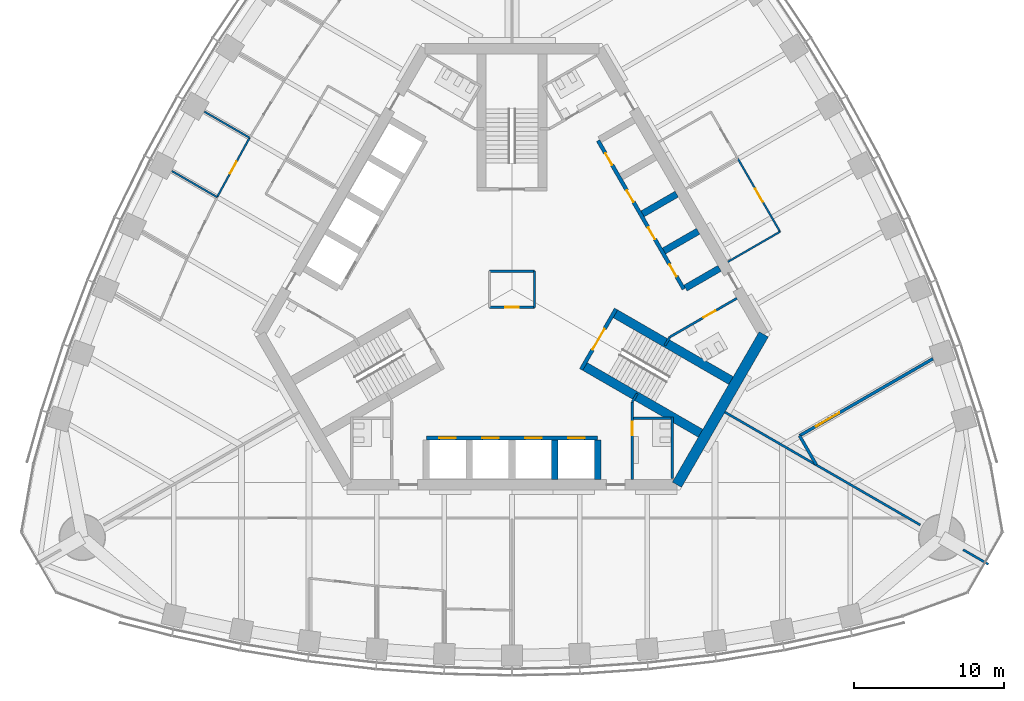
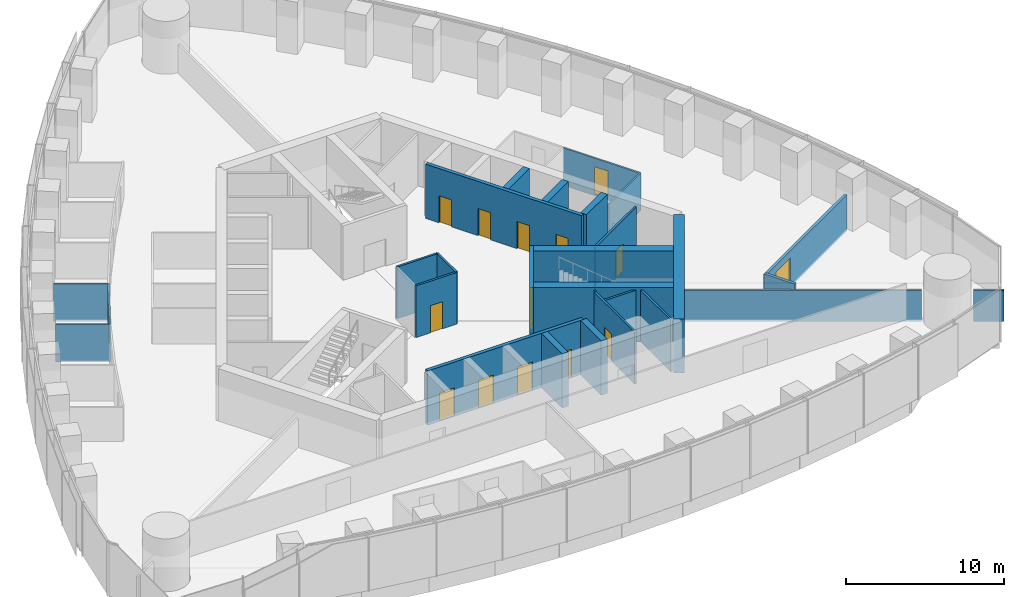
# One storey, part 12 of 19: 29 walls, 15 doors, 15 openings.
"""IFC4 building model written with IfcOpenShell, lengths in metres."""

from ifc_helpers import new_model, si_unit, direction, frame, frame_2d, origin, place, context, subcontext, project, spatial, rectangle, extrude, material, layer, layer_set, type_object, element, fill, save


model = new_model("IFC4")

# Units and contexts
model_context = context("Model", 3, precision=1e-05, world=origin(), true_north=direction((0.0, 1.0)))
body_context = subcontext(model_context, "Body", "Model", "MODEL_VIEW")
ifc_project = project(units=[si_unit("LENGTHUNIT", "METRE"), si_unit("AREAUNIT", "SQUARE_METRE"), si_unit("VOLUMEUNIT", "CUBIC_METRE"), si_unit("PLANEANGLEUNIT", "RADIAN"), si_unit("MASSUNIT", "GRAM", prefix="KILO")], contexts=[model_context])

# Site, building, storey
site_placement = place(None, origin())
site = spatial("IfcSite", under=ifc_project, at=site_placement, CompositionType="ELEMENT")
building_placement = place(site_placement, origin())
building = spatial("IfcBuilding", under=site, at=building_placement, Name="Trefoil Bronze Tower", CompositionType="ELEMENT")
storey_placement = place(building_placement, frame((0.0, 0.0, 244.300048828125)))
storey = spatial("IfcBuildingStorey", under=building, at=storey_placement, Name="L56", CompositionType="ELEMENT", Elevation=244.300048828125)

# Wall
ifc_material_1 = material(Name="Gypsum board on steel studs", Category="steel")
ifc_layer_1 = layer(ifc_material_1, 0.199951171875)
ifc_layer_set_1 = layer_set([ifc_layer_1], Name="Acoustic partition 200")
wall_type_1 = type_object("IfcWallType", Name="Acoustic partition 200", PredefinedType="PARTITIONING", material=ifc_layer_set_1)
wall_1_placement = place(storey_placement, frame((19.123779296875, -9.743408203125, 0.0), z_axis=(0.0, 0.0, 1.0), x_axis=(0.500047783504, -0.865997814208, 0.0)))
element("IfcWall", 1, at=wall_1_placement, inside=storey, type_object=wall_type_1, Name="Partition F2 L56", PredefinedType="PARTITIONING", context=body_context, shape_type="SweptSolid", body=[
    extrude(rectangle(XDim=2.230224609375, YDim=0.199951171875, at=frame_2d((1.115234375, 0.0))), origin(), (0.0, 0.0, 1.0), 2.89990234375),
])

# Wall, opening, door
wall_2_placement = place(storey_placement, frame((19.123779296875, -9.743408203125, 0.0), z_axis=(0.0, 0.0, 1.0), x_axis=(0.866033076574, 0.499986710104, 0.0)))
wall_2 = element("IfcWall", 2, at=wall_2_placement, inside=storey, type_object=wall_type_1, Name="Partition F2 L56", PredefinedType="PARTITIONING", context=body_context, shape_type="SweptSolid", body=[
    extrude(rectangle(XDim=10.236572265625, YDim=0.199951171875, at=frame_2d((5.1181640625, 0.0))), origin(), (0.0, 0.0, 1.0), 2.800048828125),
])
opening_1_placement = place(wall_2_placement, frame((1.25, 0.0, 0.14990234375)))
opening_1 = element("IfcOpeningElement", 3, at=opening_1_placement, cuts=wall_2, Name="Opening D10", PredefinedType="OPENING", context=body_context, shape_type="SweptSolid", body=[
    extrude(rectangle(XDim=1.800048828125, YDim=2.10009765625, at=frame_2d((0.89990234375, 1.050048828125))), frame((0.0, 0.10986328125, 0.0), z_axis=(0.0, -1.0, 0.0), x_axis=(1.0, 0.0, 0.0)), (0.0, 0.0, 1.0), 0.219970703125),
])
ifc_material_2 = material(Name="Timber door", Category="wood")
door_type_1 = type_object("IfcDoorType", Name="Double door 1800", OperationType="DOUBLE_DOOR_SINGLE_SWING", PredefinedType="DOOR", material=ifc_material_2)
door_1_placement = place(opening_1_placement, frame((1.800048828125, 0.0, 0.0), z_axis=(0.0, 0.0, 1.0), x_axis=(-1.0, 0.0, 0.0)))
door_1 = element("IfcDoor", 4, at=door_1_placement, inside=storey, type_object=door_type_1, Name="Boardroom door F2 L56", OperationType="DOUBLE_DOOR_SINGLE_SWING", OverallHeight=2.10009765625, OverallWidth=1.800048828125, PredefinedType="DOOR", context=body_context, shape_type="SweptSolid", body=[
    extrude(rectangle(XDim=1.800048828125, YDim=2.10009765625, at=frame_2d((0.89990234375, 1.050048828125))), frame((0.0, 0.02490234375, 0.0), z_axis=(0.0, -1.0, 0.0), x_axis=(1.0, 0.0, 0.0)), (0.0, 0.0, 1.0), 0.050048828125),
])
fill(opening_1, door_1)

# Wall
ifc_material_3 = material(Name="Concrete B80", Category="concrete")
ifc_layer_2 = layer(ifc_material_3, 0.699951171875)
ifc_layer_set_2 = layer_set([ifc_layer_2], Name="Core wall 700")
wall_type_2 = type_object("IfcWallType", Name="Core wall 700", PredefinedType="SHEAR", material=ifc_layer_set_2)
wall_3_placement = place(storey_placement, frame((10.9697265625, -13.0, 0.0), z_axis=(0.0, 0.0, 1.0), x_axis=(0.499995765644, 0.866027848477, 0.0)))
element("IfcWall", 5, at=wall_3_placement, inside=storey, type_object=wall_type_2, Name="Core short wall 1 L56", PredefinedType="SHEAR", context=body_context, shape_type="SweptSolid", body=[
    extrude(rectangle(XDim=11.546875, YDim=0.699951171875, at=frame_2d((5.7734375, 0.0))), origin(), (0.0, 0.0, 1.0), 4.199951171875),
])

# Wall, opening, door
ifc_material_4 = material(Name="Glazed partition", Category="glass")
ifc_layer_3 = layer(ifc_material_4, 0.1201171875)
ifc_layer_set_3 = layer_set([ifc_layer_3], Name="Glazed partition 120")
wall_type_3 = type_object("IfcWallType", Name="Glazed partition 120", PredefinedType="PARTITIONING", material=ifc_layer_set_3)
wall_4_placement = place(storey_placement, frame((17.825439453125, 3.8251953125, 0.0), z_axis=(0.0, 0.0, 1.0), x_axis=(-0.499965239061, 0.866045472092, 0.0)))
wall_4 = element("IfcWall", 6, at=wall_4_placement, inside=storey, type_object=wall_type_3, Name="Partition F2 L56", PredefinedType="PARTITIONING", context=body_context, shape_type="SweptSolid", body=[
    extrude(rectangle(XDim=5.60009765625, YDim=0.1201171875, at=frame_2d((2.800048828125, 0.0))), origin(), (0.0, 0.0, 1.0), 2.89990234375),
])
opening_2_placement = place(wall_4_placement, frame((2.300048828125, 0.0, 0.14990234375)))
opening_2 = element("IfcOpeningElement", 7, at=opening_2_placement, cuts=wall_4, Name="Opening D9", PredefinedType="OPENING", context=body_context, shape_type="SweptSolid", body=[
    extrude(rectangle(XDim=1.0, YDim=2.10009765625, at=frame_2d((0.5, 1.050048828125))), frame((0.0, 0.070068359375, 0.0), z_axis=(0.0, -1.0, 0.0), x_axis=(1.0, 0.0, 0.0)), (0.0, 0.0, 1.0), 0.14013671875),
])
ifc_material_5 = material(Name="Glazed timber door", Category="wood")
door_type_2 = type_object("IfcDoorType", Name="Meeting room door 1000", OperationType="SINGLE_SWING_LEFT", PredefinedType="DOOR", material=ifc_material_5)
door_2_placement = place(opening_2_placement, origin())
door_2 = element("IfcDoor", 8, at=door_2_placement, inside=storey, type_object=door_type_2, Name="Meeting room door F2 L56", OperationType="SINGLE_SWING_RIGHT", OverallHeight=2.10009765625, OverallWidth=1.0, PredefinedType="DOOR", context=body_context, shape_type="SweptSolid", body=[
    extrude(rectangle(XDim=1.0, YDim=2.10009765625, at=frame_2d((0.5, 1.050048828125))), frame((0.0, 0.02490234375, 0.0), z_axis=(0.0, -1.0, 0.0), x_axis=(1.0, 0.0, 0.0)), (0.0, 0.0, 1.0), 0.050048828125),
])
fill(opening_2, door_2)

# Wall
wall_5_placement = place(storey_placement, frame((14.361328125, 1.8251953125, 0.0), z_axis=(0.0, 0.0, 1.0), x_axis=(0.866026010844, 0.49999894854, 0.0)))
element("IfcWall", 9, at=wall_5_placement, inside=storey, type_object=wall_type_3, Name="Partition F2 L56", PredefinedType="PARTITIONING", context=body_context, shape_type="SweptSolid", body=[
    extrude(rectangle(XDim=4.0, YDim=0.1201171875, at=frame_2d((2.0, 0.0))), origin(), (0.0, 0.0, 1.0), 2.89990234375),
])

# Wall, opening, door
wall_6_placement = place(storey_placement, frame((-17.450927734375, 10.075439453125, 0.0), z_axis=(0.0, 0.0, 1.0), x_axis=(-0.479949984371, -0.877295852322, 0.0)))
wall_6 = element("IfcWall", 10, at=wall_6_placement, inside=storey, type_object=wall_type_3, Name="Partition F3 L56", PredefinedType="PARTITIONING", context=body_context, shape_type="SweptSolid", body=[
    extrude(rectangle(XDim=4.501220703125, YDim=0.1201171875, at=frame_2d((2.25048828125, 0.0))), origin(), (0.0, 0.0, 1.0), 2.89990234375),
])
opening_3_placement = place(wall_6_placement, frame((1.800048828125, 0.0, 0.14990234375)))
opening_3 = element("IfcOpeningElement", 11, at=opening_3_placement, cuts=wall_6, Name="Opening D8", PredefinedType="OPENING", context=body_context, shape_type="SweptSolid", body=[
    extrude(rectangle(XDim=0.89990234375, YDim=2.10009765625, at=frame_2d((0.449951171875, 1.050048828125))), frame((0.0, 0.070068359375, 0.0), z_axis=(0.0, -1.0, 0.0), x_axis=(1.0, 0.0, 0.0)), (0.0, 0.0, 1.0), 0.14013671875),
])
ifc_material_6 = material(Name="Timber door", Category="wood")
door_type_3 = type_object("IfcDoorType", Name="Office door 900", OperationType="SINGLE_SWING_LEFT", PredefinedType="DOOR", material=ifc_material_6)
door_3_placement = place(opening_3_placement, frame((0.89990234375, 0.0, 0.0), z_axis=(0.0, 0.0, 1.0), x_axis=(-1.0, 0.0, 0.0)))
door_3 = element("IfcDoor", 12, at=door_3_placement, inside=storey, type_object=door_type_3, Name="Office door F3 L56", OperationType="SINGLE_SWING_RIGHT", OverallHeight=2.10009765625, OverallWidth=0.89990234375, PredefinedType="DOOR", context=body_context, shape_type="SweptSolid", body=[
    extrude(rectangle(XDim=0.89990234375, YDim=2.10009765625, at=frame_2d((0.449951171875, 1.050048828125))), frame((0.0, 0.02490234375, 0.0), z_axis=(0.0, -1.0, 0.0), x_axis=(1.0, 0.0, 0.0)), (0.0, 0.0, 1.0), 0.050048828125),
])
fill(opening_3, door_3)

# Walls
wall_7_placement = place(storey_placement, frame((-17.450927734375, 10.075439453125, 0.0), z_axis=(0.0, 0.0, 1.0), x_axis=(-0.866043818878, 0.499968102766, 0.0)))
element("IfcWall", 13, at=wall_7_placement, inside=storey, type_object=wall_type_3, Name="Partition F3 L56", PredefinedType="PARTITIONING", context=body_context, shape_type="SweptSolid", body=[
    extrude(rectangle(XDim=3.469970703125, YDim=0.1201171875, at=frame_2d((1.73486328125, 0.0))), origin(), (0.0, 0.0, 1.0), 2.89990234375),
])
wall_8_placement = place(storey_placement, frame((-19.611328125, 6.12646484375, 0.0), z_axis=(0.0, 0.0, 1.0), x_axis=(-0.866047277861, 0.499962111074, 0.0)))
element("IfcWall", 14, at=wall_8_placement, inside=storey, type_object=wall_type_3, Name="Partition F3 L56", PredefinedType="PARTITIONING", context=body_context, shape_type="SweptSolid", body=[
    extrude(rectangle(XDim=3.468505859375, YDim=0.1201171875, at=frame_2d((1.734375, 0.0))), origin(), (0.0, 0.0, 1.0), 2.89990234375),
])
ifc_material_7 = material(Name="Concrete B80", Category="concrete")
ifc_layer_4 = layer(ifc_material_7, 0.449951171875)
ifc_layer_set_4 = layer_set([ifc_layer_4], Name="Outrigger shaft wall 450")
wall_type_4 = type_object("IfcWallType", Name="Outrigger shaft wall 450", PredefinedType="SHEAR", material=ifc_layer_set_4)
for number, where, z_axis, x_axis, name in (
    (15, (2.85009765625, -10.02490234375, 0.0), (0.0, 0.0, 1.0), (0.0, -1.0, 0.0), "Lift shaft side wall A3 L56"),
    (16, (5.699951171875, -10.02490234375, 0.0), (0.0, 0.0, 1.0), (0.0, -1.0, 0.0), "Lift shaft side wall A4 L56"),
    (17, (11.531982421875, 0.076171875, 0.0), (0.0, 0.0, 1.0), (0.866013657776, 0.500020344131, 0.0), "Lift shaft side wall B0 L56"),
    (18, (10.10693359375, 2.54443359375, 0.0), (0.0, 0.0, 1.0), (0.866013657776, 0.500020344131, 0.0), "Lift shaft side wall B1 L56"),
    (19, (8.681884765625, 5.012451171875, 0.0), (0.0, 0.0, 1.0), (0.866036909293, 0.499980071345, 0.0), "Lift shaft side wall B2 L56"),
):
    element("IfcWall", number, at=place(storey_placement, frame(where, z_axis=z_axis, x_axis=x_axis)), inside=storey, type_object=wall_type_4, Name=name, PredefinedType="SHEAR", context=body_context, shape_type="SweptSolid", body=[
        extrude(rectangle(XDim=2.625, YDim=0.449951171875, at=frame_2d((1.3125, 0.0))), origin(), (0.0, 0.0, 1.0), 4.199951171875),
    ])

# Wall, opening, door
ifc_material_8 = material(Name="Gypsum board on steel studs", Category="steel")
ifc_layer_5 = layer(ifc_material_8, 0.14990234375)
ifc_layer_set_5 = layer_set([ifc_layer_5], Name="Partition 150")
wall_type_5 = type_object("IfcWallType", Name="Partition 150", PredefinedType="PARTITIONING", material=ifc_layer_set_5)
wall_9_placement = place(storey_placement, frame((8.0, -7.5, 0.0), z_axis=(0.0, 0.0, 1.0), x_axis=(0.0, -1.0, 0.0)))
wall_9 = element("IfcWall", 20, at=wall_9_placement, inside=storey, type_object=wall_type_5, Name="Passage wall F1+ L56", PredefinedType="PARTITIONING", context=body_context, shape_type="SweptSolid", body=[
    extrude(rectangle(XDim=5.14990234375, YDim=0.14990234375, at=frame_2d((2.574951171875, 0.0))), origin(), (0.0, 0.0, 1.0), 4.0),
])
opening_4_placement = place(wall_9_placement, frame((1.300048828125, 0.0, 0.0)))
opening_4 = element("IfcOpeningElement", 21, at=opening_4_placement, cuts=wall_9, Name="Opening D3", PredefinedType="OPENING", context=body_context, shape_type="SweptSolid", body=[
    extrude(rectangle(XDim=0.89990234375, YDim=2.10009765625, at=frame_2d((0.449951171875, 1.050048828125))), frame((0.0, 0.0849609375, 0.0), z_axis=(0.0, -1.0, 0.0), x_axis=(1.0, 0.0, 0.0)), (0.0, 0.0, 1.0), 0.169921875),
])
ifc_material_9 = material(Name="Timber door", Category="wood")
door_type_4 = type_object("IfcDoorType", Name="WC door 900", OperationType="SINGLE_SWING_LEFT", PredefinedType="DOOR", material=ifc_material_9)
door_4_placement = place(opening_4_placement, origin())
door_4 = element("IfcDoor", 22, at=door_4_placement, inside=storey, type_object=door_type_4, Name="WC (men) door L56", OperationType="SINGLE_SWING_LEFT", OverallHeight=2.10009765625, OverallWidth=0.89990234375, PredefinedType="DOOR", context=body_context, shape_type="SweptSolid", body=[
    extrude(rectangle(XDim=0.89990234375, YDim=2.10009765625, at=frame_2d((0.449951171875, 1.050048828125))), frame((0.0, 0.02490234375, 0.0), z_axis=(0.0, -1.0, 0.0), x_axis=(1.0, 0.0, 0.0)), (0.0, 0.0, 1.0), 0.050048828125),
])
fill(opening_4, door_4)

wall_10_placement = place(storey_placement, frame((10.4951171875, -3.17822265625, 0.0), z_axis=(0.0, 0.0, 1.0), x_axis=(0.866037967349, 0.499978238636, 0.0)))
wall_10 = element("IfcWall", 23, at=wall_10_placement, inside=storey, type_object=wall_type_5, Name="Passage wall F2- L56", PredefinedType="PARTITIONING", context=body_context, shape_type="SweptSolid", body=[
    extrude(rectangle(XDim=5.150146484375, YDim=0.14990234375, at=frame_2d((2.5751953125, 0.0))), origin(), (0.0, 0.0, 1.0), 4.0),
])
opening_5_placement = place(wall_10_placement, frame((2.60009765625, 0.0, 0.0)))
opening_5 = element("IfcOpeningElement", 24, at=opening_5_placement, cuts=wall_10, Name="Opening D3", PredefinedType="OPENING", context=body_context, shape_type="SweptSolid", body=[
    extrude(rectangle(XDim=0.89990234375, YDim=2.10009765625, at=frame_2d((0.449951171875, 1.050048828125))), frame((0.0, 0.0849609375, 0.0), z_axis=(0.0, -1.0, 0.0), x_axis=(1.0, 0.0, 0.0)), (0.0, 0.0, 1.0), 0.169921875),
])
door_5_placement = place(opening_5_placement, frame((0.89990234375, 0.0, 0.0), z_axis=(0.0, 0.0, 1.0), x_axis=(-1.0, 0.0, 0.0)))
door_5 = element("IfcDoor", 25, at=door_5_placement, inside=storey, type_object=door_type_4, Name="WC (women) door L56", OperationType="SINGLE_SWING_LEFT", OverallHeight=2.10009765625, OverallWidth=0.89990234375, PredefinedType="DOOR", context=body_context, shape_type="SweptSolid", body=[
    extrude(rectangle(XDim=0.89990234375, YDim=2.10009765625, at=frame_2d((0.449951171875, 1.050048828125))), frame((0.0, 0.02490234375, 0.0), z_axis=(0.0, -1.0, 0.0), x_axis=(1.0, 0.0, 0.0)), (0.0, 0.0, 1.0), 0.050048828125),
])
fill(opening_5, door_5)

# Walls
for number, where, z_axis, x_axis, name in (
    (26, (8.0, -7.5, 0.0), (0.0, 0.0, 1.0), (0.499842556608, 0.866116284689, 0.0), "WC wall ST1-1 L56"),
    (27, (10.4951171875, -3.17822265625, 0.0), (0.0, 0.0, 1.0), (-0.499842556608, -0.866116284689, 0.0), "WC wall ST1+1 L56"),
):
    element("IfcWall", number, at=place(storey_placement, frame(where, z_axis=z_axis, x_axis=x_axis)), inside=storey, type_object=wall_type_5, Name=name, PredefinedType="PARTITIONING", context=body_context, shape_type="SweptSolid", body=[
        extrude(rectangle(XDim=0.645263671875, YDim=0.14990234375, at=frame_2d((0.32275390625, 0.0))), origin(), (0.0, 0.0, 1.0), 4.0),
    ])
wall_11_placement = place(storey_placement, frame((10.659912109375, -8.5, 0.0), z_axis=(0.0, 0.0, 1.0), x_axis=(0.0, -1.0, 0.0)))
element("IfcWall", 28, at=wall_11_placement, inside=storey, type_object=wall_type_5, Name="WC partition WC (men) L56", PredefinedType="PARTITIONING", context=body_context, shape_type="SweptSolid", body=[
    extrude(rectangle(XDim=4.10009765625, YDim=0.14990234375, at=frame_2d((2.050048828125, 0.0))), origin(), (0.0, 0.0, 1.0), 4.0),
])
wall_12_placement = place(storey_placement, frame((8.074951171875, -8.574951171875, 0.0), z_axis=(0.0, 0.0, 1.0), x_axis=(1.0, 0.0, 0.0)))
element("IfcWall", 29, at=wall_12_placement, inside=storey, type_object=wall_type_5, Name="WC partition WC (men) L56", PredefinedType="PARTITIONING", context=body_context, shape_type="SweptSolid", body=[
    extrude(rectangle(XDim=2.510009765625, YDim=0.14990234375, at=frame_2d((1.2548828125, 0.0))), origin(), (0.0, 0.0, 1.0), 4.0),
])
ifc_material_10 = material(Name="Gypsum board on steel studs", Category="steel")
ifc_layer_6 = layer(ifc_material_10, 0.14990234375)
ifc_layer_set_6 = layer_set([ifc_layer_6], Name="Party wall 150")
wall_type_6 = type_object("IfcWallType", Name="Party wall 150", PredefinedType="PARTITIONING", material=ifc_layer_set_6)
wall_13_placement = place(storey_placement, frame((14.159423828125, -8.175048828125, 0.0), z_axis=(0.0, 0.0, 1.0), x_axis=(0.866027028085, -0.499997186618, 0.0)))
element("IfcWall", 30, at=wall_13_placement, inside=storey, type_object=wall_type_6, Name="Party wall K1 L56", PredefinedType="PARTITIONING", context=body_context, shape_type="SweptSolid", body=[
    extrude(rectangle(XDim=15.0, YDim=0.14990234375, at=frame_2d((7.5, 0.0))), origin(), (0.0, 0.0, 1.0), 2.39990234375),
])
wall_14_placement = place(storey_placement, frame((30.0078125, -17.324951171875, 0.0), z_axis=(0.0, 0.0, 1.0), x_axis=(0.866013246922, -0.500021055713, 0.0)))
element("IfcWall", 31, at=wall_14_placement, inside=storey, type_object=wall_type_6, Name="Party wall K1 L56", PredefinedType="PARTITIONING", context=body_context, shape_type="SweptSolid", body=[
    extrude(rectangle(XDim=1.9345703125, YDim=0.14990234375, at=frame_2d((0.96728515625, 0.0))), origin(), (0.0, 0.0, 1.0), 2.39990234375),
])

# Wall, opening, door
ifc_material_11 = material(Name="Gypsum board on steel studs", Category="steel")
ifc_layer_7 = layer(ifc_material_11, 0.14990234375)
ifc_layer_set_7 = layer_set([ifc_layer_7], Name="Riser wall 150")
wall_type_7 = type_object("IfcWallType", Name="Riser wall 150", PredefinedType="PARTITIONING", material=ifc_layer_set_7)
wall_15_placement = place(storey_placement, frame((-1.5, -1.199951171875, 0.0), z_axis=(0.0, 0.0, 1.0), x_axis=(1.0, 0.0, 0.0)))
wall_15 = element("IfcWall", 32, at=wall_15_placement, inside=storey, type_object=wall_type_7, Name="Riser wall L56", PredefinedType="PARTITIONING", context=body_context, shape_type="SweptSolid", body=[
    extrude(rectangle(XDim=3.0, YDim=0.14990234375, at=frame_2d((1.5, 0.0))), origin(), (0.0, 0.0, 1.0), 4.0),
])
opening_6_placement = place(wall_15_placement, frame((1.050048828125, 0.0, 0.0)))
opening_6 = element("IfcOpeningElement", 33, at=opening_6_placement, cuts=wall_15, Name="Opening D4", PredefinedType="OPENING", context=body_context, shape_type="SweptSolid", body=[
    extrude(rectangle(XDim=0.89990234375, YDim=2.10009765625, at=frame_2d((0.449951171875, 1.050048828125))), frame((0.0, 0.0849609375, 0.0), z_axis=(0.0, -1.0, 0.0), x_axis=(1.0, 0.0, 0.0)), (0.0, 0.0, 1.0), 0.169921875),
])
ifc_material_12 = material(Name="Steel door", Category="steel")
door_type_5 = type_object("IfcDoorType", Name="Riser door 900", OperationType="SINGLE_SWING_LEFT", PredefinedType="DOOR", material=ifc_material_12)
door_6_placement = place(opening_6_placement, frame((0.89990234375, 0.0, 0.0), z_axis=(0.0, 0.0, 1.0), x_axis=(-1.0, 0.0, 0.0)))
door_6 = element("IfcDoor", 34, at=door_6_placement, inside=storey, type_object=door_type_5, Name="Riser door L56", OperationType="SINGLE_SWING_LEFT", OverallHeight=2.10009765625, OverallWidth=0.89990234375, PredefinedType="DOOR", context=body_context, shape_type="SweptSolid", body=[
    extrude(rectangle(XDim=0.89990234375, YDim=2.10009765625, at=frame_2d((0.449951171875, 1.050048828125))), frame((0.0, 0.02490234375, 0.0), z_axis=(0.0, -1.0, 0.0), x_axis=(1.0, 0.0, 0.0)), (0.0, 0.0, 1.0), 0.050048828125),
])
fill(opening_6, door_6)

# Walls
wall_16_placement = place(storey_placement, frame((1.5, -1.199951171875, 0.0), z_axis=(0.0, 0.0, 1.0), x_axis=(0.0, 1.0, 0.0)))
element("IfcWall", 35, at=wall_16_placement, inside=storey, type_object=wall_type_7, Name="Riser wall L56", PredefinedType="PARTITIONING", context=body_context, shape_type="SweptSolid", body=[
    extrude(rectangle(XDim=2.39990234375, YDim=0.14990234375, at=frame_2d((1.199951171875, 0.0))), origin(), (0.0, 0.0, 1.0), 4.0),
])
wall_17_placement = place(storey_placement, frame((1.5, 1.199951171875, 0.0), z_axis=(0.0, 0.0, 1.0), x_axis=(-1.0, 0.0, 0.0)))
element("IfcWall", 36, at=wall_17_placement, inside=storey, type_object=wall_type_7, Name="Riser wall L56", PredefinedType="PARTITIONING", context=body_context, shape_type="SweptSolid", body=[
    extrude(rectangle(XDim=3.0, YDim=0.14990234375, at=frame_2d((1.5, 0.0))), origin(), (0.0, 0.0, 1.0), 4.0),
])

# Wall, openings, doors
ifc_material_13 = material(Name="Concrete B80", Category="concrete")
ifc_layer_8 = layer(ifc_material_13, 0.25)
ifc_layer_set_8 = layer_set([ifc_layer_8], Name="Shaft wall 250")
wall_type_8 = type_object("IfcWallType", Name="Shaft wall 250", PredefinedType="SHEAR", material=ifc_layer_set_8)
wall_18_placement = place(storey_placement, frame((-5.699951171875, -9.89990234375, 0.0), z_axis=(0.0, 0.0, 1.0), x_axis=(1.0, 0.0, 0.0)))
wall_18 = element("IfcWall", 37, at=wall_18_placement, inside=storey, type_object=wall_type_8, Name="Lift shaft front wall A L56", PredefinedType="SHEAR", context=body_context, shape_type="SweptSolid", body=[
    extrude(rectangle(XDim=11.39990234375, YDim=0.25, at=frame_2d((5.699951171875, 0.0))), origin(), (0.0, 0.0, 1.0), 4.199951171875),
])
opening_7_placement = place(wall_18_placement, frame((0.875, 0.0, 0.0)))
opening_7 = element("IfcOpeningElement", 38, at=opening_7_placement, cuts=wall_18, Name="Opening LD-P31", PredefinedType="OPENING", context=body_context, shape_type="SweptSolid", body=[
    extrude(rectangle(XDim=1.10009765625, YDim=2.199951171875, at=frame_2d((0.550048828125, 1.10009765625))), frame((0.0, 0.135009765625, 0.0), z_axis=(0.0, -1.0, 0.0), x_axis=(1.0, 0.0, 0.0)), (0.0, 0.0, 1.0), 0.27001953125),
])
opening_8_placement = place(wall_18_placement, frame((3.72509765625, 0.0, 0.0)))
opening_8 = element("IfcOpeningElement", 39, at=opening_8_placement, cuts=wall_18, Name="Opening LD-P32", PredefinedType="OPENING", context=body_context, shape_type="SweptSolid", body=[
    extrude(rectangle(XDim=1.10009765625, YDim=2.199951171875, at=frame_2d((0.550048828125, 1.10009765625))), frame((0.0, 0.135009765625, 0.0), z_axis=(0.0, -1.0, 0.0), x_axis=(1.0, 0.0, 0.0)), (0.0, 0.0, 1.0), 0.27001953125),
])
opening_9_placement = place(wall_18_placement, frame((6.574951171875, 0.0, 0.0)))
opening_9 = element("IfcOpeningElement", 40, at=opening_9_placement, cuts=wall_18, Name="Opening LD-P33", PredefinedType="OPENING", context=body_context, shape_type="SweptSolid", body=[
    extrude(rectangle(XDim=1.10009765625, YDim=2.199951171875, at=frame_2d((0.550048828125, 1.10009765625))), frame((0.0, 0.135009765625, 0.0), z_axis=(0.0, -1.0, 0.0), x_axis=(1.0, 0.0, 0.0)), (0.0, 0.0, 1.0), 0.27001953125),
])
opening_10_placement = place(wall_18_placement, frame((9.425048828125, 0.0, 0.0)))
opening_10 = element("IfcOpeningElement", 41, at=opening_10_placement, cuts=wall_18, Name="Opening LD-P34", PredefinedType="OPENING", context=body_context, shape_type="SweptSolid", body=[
    extrude(rectangle(XDim=1.10009765625, YDim=2.199951171875, at=frame_2d((0.550048828125, 1.10009765625))), frame((0.0, 0.135009765625, 0.0), z_axis=(0.0, -1.0, 0.0), x_axis=(1.0, 0.0, 0.0)), (0.0, 0.0, 1.0), 0.27001953125),
])
ifc_material_14 = material(Name="Steel door", Category="steel")
door_type_6 = type_object("IfcDoorType", Name="Lift landing door 1100", OperationType="DOUBLE_DOOR_SLIDING", PredefinedType="DOOR", material=ifc_material_14)
door_7_placement = place(opening_7_placement, origin())
door_7 = element("IfcDoor", 42, at=door_7_placement, inside=storey, type_object=door_type_6, Name="Lift P31 landing door L56", OperationType="DOUBLE_DOOR_SLIDING", OverallHeight=2.199951171875, OverallWidth=1.10009765625, PredefinedType="DOOR", context=body_context, shape_type="SweptSolid", body=[
    extrude(rectangle(XDim=1.10009765625, YDim=2.199951171875, at=frame_2d((0.550048828125, 1.10009765625))), frame((0.0, 0.02490234375, 0.0), z_axis=(0.0, -1.0, 0.0), x_axis=(1.0, 0.0, 0.0)), (0.0, 0.0, 1.0), 0.050048828125),
])
fill(opening_7, door_7)
door_8_placement = place(opening_8_placement, origin())
door_8 = element("IfcDoor", 43, at=door_8_placement, inside=storey, type_object=door_type_6, Name="Lift P32 landing door L56", OperationType="DOUBLE_DOOR_SLIDING", OverallHeight=2.199951171875, OverallWidth=1.10009765625, PredefinedType="DOOR", context=body_context, shape_type="SweptSolid", body=[
    extrude(rectangle(XDim=1.10009765625, YDim=2.199951171875, at=frame_2d((0.550048828125, 1.10009765625))), frame((0.0, 0.02490234375, 0.0), z_axis=(0.0, -1.0, 0.0), x_axis=(1.0, 0.0, 0.0)), (0.0, 0.0, 1.0), 0.050048828125),
])
fill(opening_8, door_8)
door_9_placement = place(opening_9_placement, origin())
door_9 = element("IfcDoor", 44, at=door_9_placement, inside=storey, type_object=door_type_6, Name="Lift P33 landing door L56", OperationType="DOUBLE_DOOR_SLIDING", OverallHeight=2.199951171875, OverallWidth=1.10009765625, PredefinedType="DOOR", context=body_context, shape_type="SweptSolid", body=[
    extrude(rectangle(XDim=1.10009765625, YDim=2.199951171875, at=frame_2d((0.550048828125, 1.10009765625))), frame((0.0, 0.02490234375, 0.0), z_axis=(0.0, -1.0, 0.0), x_axis=(1.0, 0.0, 0.0)), (0.0, 0.0, 1.0), 0.050048828125),
])
fill(opening_9, door_9)
door_10_placement = place(opening_10_placement, origin())
door_10 = element("IfcDoor", 45, at=door_10_placement, inside=storey, type_object=door_type_6, Name="Lift P34 landing door L56", OperationType="DOUBLE_DOOR_SLIDING", OverallHeight=2.199951171875, OverallWidth=1.10009765625, PredefinedType="DOOR", context=body_context, shape_type="SweptSolid", body=[
    extrude(rectangle(XDim=1.10009765625, YDim=2.199951171875, at=frame_2d((0.550048828125, 1.10009765625))), frame((0.0, 0.02490234375, 0.0), z_axis=(0.0, -1.0, 0.0), x_axis=(1.0, 0.0, 0.0)), (0.0, 0.0, 1.0), 0.050048828125),
])
fill(opening_10, door_10)

wall_19_placement = place(storey_placement, frame((11.423583984375, 0.013671875, 0.0), z_axis=(0.0, 0.0, 1.0), x_axis=(-0.500001763848, 0.866024385424, 0.0)))
wall_19 = element("IfcWall", 46, at=wall_19_placement, inside=storey, type_object=wall_type_8, Name="Lift shaft front wall B L56", PredefinedType="SHEAR", context=body_context, shape_type="SweptSolid", body=[
    extrude(rectangle(XDim=11.39990234375, YDim=0.25, at=frame_2d((5.699951171875, 0.0))), origin(), (0.0, 0.0, 1.0), 4.199951171875),
])
opening_11_placement = place(wall_19_placement, frame((0.97509765625, 0.0, 0.0)))
opening_11 = element("IfcOpeningElement", 47, at=opening_11_placement, cuts=wall_19, Name="Opening D12", PredefinedType="OPENING", context=body_context, shape_type="SweptSolid", body=[
    extrude(rectangle(XDim=0.89990234375, YDim=2.10009765625, at=frame_2d((0.449951171875, 1.050048828125))), frame((0.0, 0.135009765625, 0.0), z_axis=(0.0, -1.0, 0.0), x_axis=(1.0, 0.0, 0.0)), (0.0, 0.0, 1.0), 0.27001953125),
])
opening_12_placement = place(wall_19_placement, frame((3.824951171875, 0.0, 0.0)))
opening_12 = element("IfcOpeningElement", 48, at=opening_12_placement, cuts=wall_19, Name="Opening D12", PredefinedType="OPENING", context=body_context, shape_type="SweptSolid", body=[
    extrude(rectangle(XDim=0.89990234375, YDim=2.10009765625, at=frame_2d((0.449951171875, 1.050048828125))), frame((0.0, 0.135009765625, 0.0), z_axis=(0.0, -1.0, 0.0), x_axis=(1.0, 0.0, 0.0)), (0.0, 0.0, 1.0), 0.27001953125),
])
opening_13_placement = place(wall_19_placement, frame((6.675048828125, 0.0, 0.0)))
opening_13 = element("IfcOpeningElement", 49, at=opening_13_placement, cuts=wall_19, Name="Opening D12", PredefinedType="OPENING", context=body_context, shape_type="SweptSolid", body=[
    extrude(rectangle(XDim=0.89990234375, YDim=2.10009765625, at=frame_2d((0.449951171875, 1.050048828125))), frame((0.0, 0.135009765625, 0.0), z_axis=(0.0, -1.0, 0.0), x_axis=(1.0, 0.0, 0.0)), (0.0, 0.0, 1.0), 0.27001953125),
])
opening_14_placement = place(wall_19_placement, frame((9.52490234375, 0.0, 0.0)))
opening_14 = element("IfcOpeningElement", 50, at=opening_14_placement, cuts=wall_19, Name="Opening D12", PredefinedType="OPENING", context=body_context, shape_type="SweptSolid", body=[
    extrude(rectangle(XDim=0.89990234375, YDim=2.10009765625, at=frame_2d((0.449951171875, 1.050048828125))), frame((0.0, 0.135009765625, 0.0), z_axis=(0.0, -1.0, 0.0), x_axis=(1.0, 0.0, 0.0)), (0.0, 0.0, 1.0), 0.27001953125),
])
ifc_material_15 = material(Name="Steel door", Category="steel")
door_type_7 = type_object("IfcDoorType", Name="Shaft room door 900", OperationType="SINGLE_SWING_LEFT", PredefinedType="DOOR", material=ifc_material_15)
door_11_placement = place(opening_11_placement, frame((0.89990234375, 0.0, 0.0), z_axis=(0.0, 0.0, 1.0), x_axis=(-1.0, 0.0, 0.0)))
door_11 = element("IfcDoor", 51, at=door_11_placement, inside=storey, type_object=door_type_7, Name="Shaft room door B1 L56", OperationType="SINGLE_SWING_LEFT", OverallHeight=2.10009765625, OverallWidth=0.89990234375, PredefinedType="DOOR", context=body_context, shape_type="SweptSolid", body=[
    extrude(rectangle(XDim=0.89990234375, YDim=2.10009765625, at=frame_2d((0.449951171875, 1.050048828125))), frame((0.0, 0.02490234375, 0.0), z_axis=(0.0, -1.0, 0.0), x_axis=(1.0, 0.0, 0.0)), (0.0, 0.0, 1.0), 0.050048828125),
])
fill(opening_11, door_11)
door_12_placement = place(opening_12_placement, frame((0.89990234375, 0.0, 0.0), z_axis=(0.0, 0.0, 1.0), x_axis=(-1.0, 0.0, 0.0)))
door_12 = element("IfcDoor", 52, at=door_12_placement, inside=storey, type_object=door_type_7, Name="Shaft room door B2 L56", OperationType="SINGLE_SWING_RIGHT", OverallHeight=2.10009765625, OverallWidth=0.89990234375, PredefinedType="DOOR", context=body_context, shape_type="SweptSolid", body=[
    extrude(rectangle(XDim=0.89990234375, YDim=2.10009765625, at=frame_2d((0.449951171875, 1.050048828125))), frame((0.0, 0.02490234375, 0.0), z_axis=(0.0, -1.0, 0.0), x_axis=(1.0, 0.0, 0.0)), (0.0, 0.0, 1.0), 0.050048828125),
])
fill(opening_12, door_12)
door_13_placement = place(opening_13_placement, frame((0.89990234375, 0.0, 0.0), z_axis=(0.0, 0.0, 1.0), x_axis=(-1.0, 0.0, 0.0)))
door_13 = element("IfcDoor", 53, at=door_13_placement, inside=storey, type_object=door_type_7, Name="Shaft room door B3 L56", OperationType="SINGLE_SWING_RIGHT", OverallHeight=2.10009765625, OverallWidth=0.89990234375, PredefinedType="DOOR", context=body_context, shape_type="SweptSolid", body=[
    extrude(rectangle(XDim=0.89990234375, YDim=2.10009765625, at=frame_2d((0.449951171875, 1.050048828125))), frame((0.0, 0.02490234375, 0.0), z_axis=(0.0, -1.0, 0.0), x_axis=(1.0, 0.0, 0.0)), (0.0, 0.0, 1.0), 0.050048828125),
])
fill(opening_13, door_13)
door_14_placement = place(opening_14_placement, frame((0.89990234375, 0.0, 0.0), z_axis=(0.0, 0.0, 1.0), x_axis=(-1.0, 0.0, 0.0)))
door_14 = element("IfcDoor", 54, at=door_14_placement, inside=storey, type_object=door_type_7, Name="Shaft room door B4 L56", OperationType="SINGLE_SWING_RIGHT", OverallHeight=2.10009765625, OverallWidth=0.89990234375, PredefinedType="DOOR", context=body_context, shape_type="SweptSolid", body=[
    extrude(rectangle(XDim=0.89990234375, YDim=2.10009765625, at=frame_2d((0.449951171875, 1.050048828125))), frame((0.0, 0.02490234375, 0.0), z_axis=(0.0, -1.0, 0.0), x_axis=(1.0, 0.0, 0.0)), (0.0, 0.0, 1.0), 0.050048828125),
])
fill(opening_14, door_14)

# Wall, opening, door
wall_20_placement = place(storey_placement, frame((4.5966796875, -5.338623046875, 0.0), z_axis=(0.0, 0.0, 1.0), x_axis=(0.499984536904, 0.866034331223, 0.0)))
wall_20 = element("IfcWall", 55, at=wall_20_placement, inside=storey, type_object=wall_type_8, Name="Stair end wall ST1 L56", PredefinedType="SHEAR", context=body_context, shape_type="SweptSolid", body=[
    extrude(rectangle(XDim=4.650146484375, YDim=0.25, at=frame_2d((2.3251953125, 0.0))), origin(), (0.0, 0.0, 1.0), 4.199951171875),
])
opening_15_placement = place(wall_20_placement, frame((1.52490234375, 0.0, 0.0)))
opening_15 = element("IfcOpeningElement", 56, at=opening_15_placement, cuts=wall_20, Name="Opening D1", PredefinedType="OPENING", context=body_context, shape_type="SweptSolid", body=[
    extrude(rectangle(XDim=1.60009765625, YDim=2.10009765625, at=frame_2d((0.800048828125, 1.050048828125))), frame((0.0, 0.135009765625, 0.0), z_axis=(0.0, -1.0, 0.0), x_axis=(1.0, 0.0, 0.0)), (0.0, 0.0, 1.0), 0.27001953125),
])
ifc_material_16 = material(Name="Steel door", Category="steel")
door_type_8 = type_object("IfcDoorType", Name="Stair door 1600", OperationType="DOUBLE_DOOR_SINGLE_SWING", PredefinedType="DOOR", material=ifc_material_16)
door_15_placement = place(opening_15_placement, frame((1.60009765625, 0.0, 0.0), z_axis=(0.0, 0.0, 1.0), x_axis=(-1.0, 0.0, 0.0)))
door_15 = element("IfcDoor", 57, at=door_15_placement, inside=storey, type_object=door_type_8, Name="Stair door ST1 L56", OperationType="DOUBLE_DOOR_SINGLE_SWING", OverallHeight=2.10009765625, OverallWidth=1.60009765625, PredefinedType="DOOR", context=body_context, shape_type="SweptSolid", body=[
    extrude(rectangle(XDim=1.60009765625, YDim=2.10009765625, at=frame_2d((0.800048828125, 1.050048828125))), frame((0.0, 0.02490234375, 0.0), z_axis=(0.0, -1.0, 0.0), x_axis=(1.0, 0.0, 0.0)), (0.0, 0.0, 1.0), 0.050048828125),
])
fill(opening_15, door_15)

# Walls
ifc_material_17 = material(Name="Concrete B80", Category="concrete")
ifc_layer_9 = layer(ifc_material_17, 0.60009765625)
ifc_layer_set_9 = layer_set([ifc_layer_9], Name="Stair wall 600")
wall_type_9 = type_object("IfcWallType", Name="Stair wall 600", PredefinedType="SHEAR", material=ifc_layer_set_9)
for number, where, z_axis, x_axis, name in (
    (58, (4.638427734375, -5.01611328125, 0.0), (0.0, 0.0, 1.0), (0.866021621257, -0.500006551472, 0.0), "Stair wall ST1 L56"),
    (59, (6.663330078125, -1.5087890625, 0.0), (0.0, 0.0, 1.0), (0.866028310072, -0.499994966129, 0.0), "Stair wall ST1 L56"),
):
    element("IfcWall", number, at=place(storey_placement, frame(where, z_axis=z_axis, x_axis=x_axis)), inside=storey, type_object=wall_type_9, Name=name, PredefinedType="SHEAR", context=body_context, shape_type="SweptSolid", body=[
        extrude(rectangle(XDim=9.125, YDim=0.60009765625, at=frame_2d((4.5625, 0.0))), origin(), (0.0, 0.0, 1.0), 4.199951171875),
    ])

save(model, "model.ifc")
